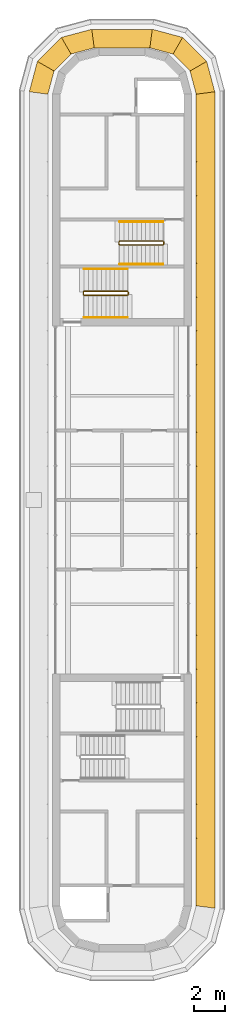
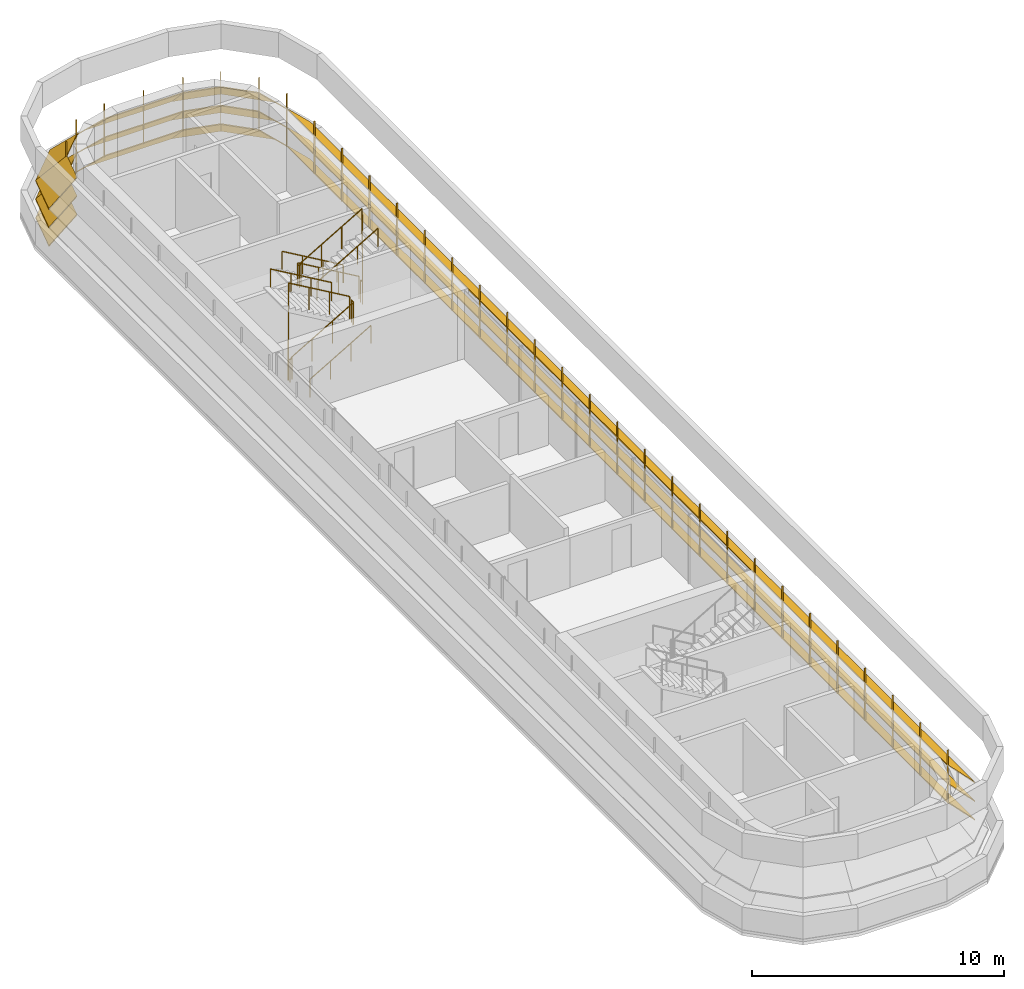
# One storey, part 6 of 6: 6 railings, 4 shading devices.
"""IFC4 building model written with IfcOpenShell, lengths in metres."""

from ifc_helpers import new_model, si_unit, direction, frame, origin, origin_2d, place, context, subcontext, project, spatial, polyline, circle, outline, extrude, faceted_brep, source, transform, mapped, material, type_object, element, save


model = new_model("IFC4")

# Units and contexts
model_context = context("Model", 3, precision=1e-05, world=origin(), true_north=direction((0.0, 1.0)))
body_context = subcontext(model_context, "Body", "Model", "MODEL_VIEW")
ifc_project = project(units=[si_unit("LENGTHUNIT", "METRE"), si_unit("AREAUNIT", "SQUARE_METRE"), si_unit("VOLUMEUNIT", "CUBIC_METRE"), si_unit("PLANEANGLEUNIT", "RADIAN"), si_unit("MASSUNIT", "GRAM", prefix="KILO")], contexts=[model_context])

# Site, building, storey
site_placement = place(None, origin())
site = spatial("IfcSite", under=ifc_project, at=site_placement, CompositionType="ELEMENT")
building_placement = place(site_placement, origin())
building = spatial("IfcBuilding", under=site, at=building_placement, Name="Zarbagh Exchange Tower", CompositionType="ELEMENT")
storey_placement = place(building_placement, frame((0.0, 0.0, 316.800048828125)))
storey = spatial("IfcBuildingStorey", under=building, at=storey_placement, Name="L78", CompositionType="ELEMENT", Elevation=316.800048828125)

# Railings
ifc_material_1 = material(Name="Stainless steel", Category="steel")
railing_type_1 = type_object("IfcRailingType", Name="Stair guard 1100 mm", PredefinedType="GUARDRAIL", material=ifc_material_1)
railing_1_placement = place(storey_placement, frame((2.64990234375, 16.75, 0.16357421875)))
element("IfcRailing", 1, at=railing_1_placement, inside=storey, type_object=railing_type_1, Name="ST1 stair guard 1", PredefinedType="GUARDRAIL", context=body_context, shape_type="SweptSolid", body=[
    extrude(circle(Radius=0.02392578125, at=origin_2d()), frame((0.0, 0.0, 1.076171875), z_axis=(-0.863341702679, 0.0, 0.504619762213), x_axis=(0.0, -1.0, 0.0)), (0.0, 0.0, 1.0), 3.242919921875),
    extrude(circle(Radius=0.02392578125, at=origin_2d()), frame((-2.7998046875, 0.0, 2.71240234375), z_axis=(-0.707106781187, -0.707106781187, 0.0), x_axis=(0.707106781187, -0.707106781187, 0.0)), (0.0, 0.0, 1.0), 0.07080078125),
    extrude(circle(Radius=0.02392578125, at=origin_2d()), frame((-2.849853515625, -0.050048828125, 2.71240234375), z_axis=(0.0, -1.0, 0.0), x_axis=(1.0, 0.0, 0.0)), (0.0, 0.0, 1.0), 0.14990234375),
    extrude(circle(Radius=0.02392578125, at=origin_2d()), frame((-2.849853515625, -0.199951171875, 2.71240234375), z_axis=(0.280808744504, -0.280808744504, 0.917765164963), x_axis=(0.707106781187, 0.707106781187, 0.0)), (0.0, 0.0, 1.0), 0.17822265625),
    extrude(circle(Radius=0.02392578125, at=origin_2d()), frame((-2.7998046875, -0.25, 2.8759765625), z_axis=(0.863374499697, 0.0, 0.504563646405), x_axis=(0.0, 1.0, 0.0)), (0.0, 0.0, 1.0), 3.242919921875),
    extrude(circle(Radius=0.02392578125, at=origin_2d()), frame((0.0, -0.25, 4.51220703125), z_axis=(0.013900331382, 0.013900331382, -0.999806762117), x_axis=(-0.707106781187, 0.707106781187, 0.0)), (0.0, 0.0, 1.0), 3.6005859375),
    extrude(circle(Radius=0.02392578125, at=origin_2d()), frame((0.050048828125, -0.199951171875, 0.91259765625), z_axis=(0.0, 1.0, 0.0), x_axis=(-1.0, 0.0, 0.0)), (0.0, 0.0, 1.0), 0.14990234375),
    extrude(circle(Radius=0.02099609375, at=origin_2d()), origin(), (0.0, 0.0, 1.0), 1.052001953125),
    extrude(circle(Radius=0.02099609375, at=origin_2d()), frame((-0.933349609375, 0.0, 0.54541015625)), (0.0, 0.0, 1.0), 1.052001953125),
    extrude(circle(Radius=0.02099609375, at=origin_2d()), frame((-1.866455078125, 0.0, 1.091064453125)), (0.0, 0.0, 1.0), 1.052001953125),
    extrude(circle(Radius=0.02099609375, at=origin_2d()), frame((-2.7998046875, 0.0, 1.636474609375)), (0.0, 0.0, 1.0), 1.052001953125),
    extrude(circle(Radius=0.02099609375, at=origin_2d()), frame((-2.849853515625, -0.050048828125, 1.636474609375)), (0.0, 0.0, 1.0), 1.052001953125),
    extrude(circle(Radius=0.02099609375, at=origin_2d()), frame((-2.849853515625, -0.199951171875, 1.636474609375)), (0.0, 0.0, 1.0), 1.052001953125),
    extrude(circle(Radius=0.02099609375, at=origin_2d()), frame((-2.7998046875, -0.25, 1.800048828125)), (0.0, 0.0, 1.0), 1.052001953125),
    extrude(circle(Radius=0.02099609375, at=origin_2d()), frame((-1.866455078125, -0.25, 2.345458984375)), (0.0, 0.0, 1.0), 1.052001953125),
    extrude(circle(Radius=0.02099609375, at=origin_2d()), frame((-0.933349609375, -0.25, 2.890869140625)), (0.0, 0.0, 1.0), 1.052001953125),
    extrude(circle(Radius=0.02099609375, at=origin_2d()), frame((0.0, -0.25, 3.436279296875)), (0.0, 0.0, 1.0), 1.052001953125),
    extrude(circle(Radius=0.02099609375, at=origin_2d()), frame((0.012451171875, -0.237548828125, 2.536376953125)), (0.0, 0.0, 1.0), 1.052001953125),
    extrude(circle(Radius=0.02099609375, at=origin_2d()), frame((0.02490234375, -0.22509765625, 1.63623046875)), (0.0, 0.0, 1.0), 1.052001953125),
    extrude(circle(Radius=0.02099609375, at=origin_2d()), frame((0.03759765625, -0.21240234375, 0.736328125)), (0.0, 0.0, 1.0), 1.052001953125),
    extrude(circle(Radius=0.02099609375, at=origin_2d()), frame((0.050048828125, -0.199951171875, -0.16357421875)), (0.0, 0.0, 1.0), 1.052001953125),
    extrude(circle(Radius=0.02099609375, at=origin_2d()), frame((0.050048828125, -0.050048828125, -0.16357421875)), (0.0, 0.0, 1.0), 1.052001953125),
])
railing_2_placement = place(storey_placement, frame((0.35009765625, 13.5, 1.963623046875)))
element("IfcRailing", 2, at=railing_2_placement, inside=storey, type_object=railing_type_1, Name="ST2 stair guard 1", PredefinedType="GUARDRAIL", context=body_context, shape_type="SweptSolid", body=[
    extrude(circle(Radius=0.02392578125, at=origin_2d()), frame((0.0, 0.0, 1.076171875), z_axis=(-0.863393664356, 0.0, 0.504530851732), x_axis=(0.0, -1.0, 0.0)), (0.0, 0.0, 1.0), 3.2431640625),
    extrude(circle(Radius=0.02392578125, at=origin_2d()), frame((-2.800048828125, 0.0, 2.71240234375), z_axis=(-0.013900331382, -0.013900331382, -0.999806762117), x_axis=(0.707106781187, -0.707106781187, 0.0)), (0.0, 0.0, 1.0), 3.6005859375),
    extrude(circle(Radius=0.02392578125, at=origin_2d()), frame((-2.85009765625, -0.050048828125, -0.8876953125), z_axis=(0.0, -1.0, 0.0), x_axis=(1.0, 0.0, 0.0)), (0.0, 0.0, 1.0), 0.14990234375),
    extrude(circle(Radius=0.02392578125, at=origin_2d()), frame((-2.85009765625, -0.199951171875, -0.8876953125), z_axis=(0.280808744504, -0.280808744504, 0.917765164963), x_axis=(0.707106781187, 0.707106781187, 0.0)), (0.0, 0.0, 1.0), 0.17822265625),
    extrude(circle(Radius=0.02392578125, at=origin_2d()), frame((-2.800048828125, -0.25, -0.72412109375), z_axis=(0.863360870873, 0.0, 0.504586966384), x_axis=(0.0, 1.0, 0.0)), (0.0, 0.0, 1.0), 3.2431640625),
    extrude(circle(Radius=0.02392578125, at=origin_2d()), frame((0.0, -0.25, 0.91259765625), z_axis=(0.705375805398, 0.708833529934, 0.0), x_axis=(-0.708833529934, 0.705375805398, 0.0)), (0.0, 0.0, 1.0), 0.070556640625),
    extrude(circle(Radius=0.02392578125, at=origin_2d()), frame((0.0498046875, -0.199951171875, 0.91259765625), z_axis=(0.0, 1.0, 0.0), x_axis=(-1.0, 0.0, 0.0)), (0.0, 0.0, 1.0), 0.14990234375),
    extrude(circle(Radius=0.02099609375, at=origin_2d()), origin(), (0.0, 0.0, 1.0), 1.052001953125),
    extrude(circle(Radius=0.02099609375, at=origin_2d()), frame((-0.933349609375, 0.0, 0.54541015625)), (0.0, 0.0, 1.0), 1.052001953125),
    extrude(circle(Radius=0.02099609375, at=origin_2d()), frame((-1.86669921875, 0.0, 1.0908203125)), (0.0, 0.0, 1.0), 1.052001953125),
    extrude(circle(Radius=0.02099609375, at=origin_2d()), frame((-2.800048828125, 0.0, 1.63623046875)), (0.0, 0.0, 1.0), 1.052001953125),
    extrude(circle(Radius=0.02099609375, at=origin_2d()), frame((-2.8125, -0.012451171875, 0.736328125)), (0.0, 0.0, 1.0), 1.052001953125),
    extrude(circle(Radius=0.02099609375, at=origin_2d()), frame((-2.8251953125, -0.02490234375, -0.16357421875)), (0.0, 0.0, 1.0), 1.052001953125),
    extrude(circle(Radius=0.02099609375, at=origin_2d()), frame((-2.837646484375, -0.03759765625, -1.063720703125)), (0.0, 0.0, 1.0), 1.052001953125),
    extrude(circle(Radius=0.02099609375, at=origin_2d()), frame((-2.85009765625, -0.050048828125, -1.963623046875)), (0.0, 0.0, 1.0), 1.052001953125),
    extrude(circle(Radius=0.02099609375, at=origin_2d()), frame((-2.85009765625, -0.199951171875, -1.963623046875)), (0.0, 0.0, 1.0), 1.052001953125),
    extrude(circle(Radius=0.02099609375, at=origin_2d()), frame((-2.800048828125, -0.25, -1.800048828125)), (0.0, 0.0, 1.0), 1.052001953125),
    extrude(circle(Radius=0.02099609375, at=origin_2d()), frame((-1.86669921875, -0.25, -1.254638671875)), (0.0, 0.0, 1.0), 1.052001953125),
    extrude(circle(Radius=0.02099609375, at=origin_2d()), frame((-0.933349609375, -0.25, -0.708984375)), (0.0, 0.0, 1.0), 1.052001953125),
    extrude(circle(Radius=0.02099609375, at=origin_2d()), frame((0.0, -0.25, -0.16357421875)), (0.0, 0.0, 1.0), 1.052001953125),
    extrude(circle(Radius=0.02099609375, at=origin_2d()), frame((0.0498046875, -0.199951171875, -0.16357421875)), (0.0, 0.0, 1.0), 1.052001953125),
    extrude(circle(Radius=0.02099609375, at=origin_2d()), frame((0.0498046875, -0.050048828125, -0.16357421875)), (0.0, 0.0, 1.0), 1.052001953125),
])
railing_type_2 = type_object("IfcRailingType", Name="Stair handrail 900 mm", PredefinedType="HANDRAIL", material=ifc_material_1)
railing_3_placement = place(storey_placement, frame((2.64990234375, 18.0, 0.16357421875)))
element("IfcRailing", 3, at=railing_3_placement, inside=storey, type_object=railing_type_2, Name="ST1 stair handrail 1", PredefinedType="HANDRAIL", context=body_context, shape_type="SweptSolid", body=[
    extrude(circle(Radius=0.02392578125, at=origin_2d()), frame((0.0, 0.0, 0.8759765625), z_axis=(-0.863341702679, 0.0, 0.504619762213), x_axis=(0.0, -1.0, 0.0)), (0.0, 0.0, 1.0), 3.242919921875),
    extrude(circle(Radius=0.02099609375, at=origin_2d()), origin(), (0.0, 0.0, 1.0), 0.851806640625),
    extrude(circle(Radius=0.02099609375, at=origin_2d()), frame((-0.933349609375, 0.0, 0.54541015625)), (0.0, 0.0, 1.0), 0.851806640625),
    extrude(circle(Radius=0.02099609375, at=origin_2d()), frame((-1.866455078125, 0.0, 1.091064453125)), (0.0, 0.0, 1.0), 0.851806640625),
    extrude(circle(Radius=0.02099609375, at=origin_2d()), frame((-2.7998046875, 0.0, 1.636474609375)), (0.0, 0.0, 1.0), 0.851806640625),
])
railing_4_placement = place(storey_placement, frame((-0.14990234375, 15.25, 1.963623046875)))
element("IfcRailing", 4, at=railing_4_placement, inside=storey, type_object=railing_type_2, Name="ST1 stair handrail 2", PredefinedType="HANDRAIL", context=body_context, shape_type="SweptSolid", body=[
    extrude(circle(Radius=0.02392578125, at=origin_2d()), frame((0.0, 0.0, 0.8759765625), z_axis=(0.863374499697, 0.0, 0.504563646405), x_axis=(0.0, 1.0, 0.0)), (0.0, 0.0, 1.0), 3.242919921875),
    extrude(circle(Radius=0.02099609375, at=origin_2d()), origin(), (0.0, 0.0, 1.0), 0.851806640625),
    extrude(circle(Radius=0.02099609375, at=origin_2d()), frame((0.933349609375, 0.0, 0.54541015625)), (0.0, 0.0, 1.0), 0.851806640625),
    extrude(circle(Radius=0.02099609375, at=origin_2d()), frame((1.866455078125, 0.0, 1.0908203125)), (0.0, 0.0, 1.0), 0.851806640625),
    extrude(circle(Radius=0.02099609375, at=origin_2d()), frame((2.7998046875, 0.0, 1.63623046875)), (0.0, 0.0, 1.0), 0.851806640625),
])
railing_5_placement = place(storey_placement, frame((-2.449951171875, 11.800048828125, 0.16357421875)))
element("IfcRailing", 5, at=railing_5_placement, inside=storey, type_object=railing_type_2, Name="ST2 stair handrail 1", PredefinedType="HANDRAIL", context=body_context, shape_type="SweptSolid", body=[
    extrude(circle(Radius=0.02392578125, at=origin_2d()), frame((0.0, 0.0, 0.8759765625), z_axis=(0.863360870873, 0.0, 0.504586966384), x_axis=(0.0, 1.0, 0.0)), (0.0, 0.0, 1.0), 3.2431640625),
    extrude(circle(Radius=0.02099609375, at=origin_2d()), origin(), (0.0, 0.0, 1.0), 0.851806640625),
    extrude(circle(Radius=0.02099609375, at=origin_2d()), frame((0.933349609375, 0.0, 0.54541015625)), (0.0, 0.0, 1.0), 0.851806640625),
    extrude(circle(Radius=0.02099609375, at=origin_2d()), frame((1.86669921875, 0.0, 1.091064453125)), (0.0, 0.0, 1.0), 0.851806640625),
    extrude(circle(Radius=0.02099609375, at=origin_2d()), frame((2.800048828125, 0.0, 1.636474609375)), (0.0, 0.0, 1.0), 0.851806640625),
])
railing_6_placement = place(storey_placement, frame((0.35009765625, 14.949951171875, 1.963623046875)))
element("IfcRailing", 6, at=railing_6_placement, inside=storey, type_object=railing_type_2, Name="ST2 stair handrail 2", PredefinedType="HANDRAIL", context=body_context, shape_type="SweptSolid", body=[
    extrude(circle(Radius=0.02392578125, at=origin_2d()), frame((0.0, 0.0, 0.8759765625), z_axis=(-0.863393664356, 0.0, 0.504530851732), x_axis=(0.0, -1.0, 0.0)), (0.0, 0.0, 1.0), 3.2431640625),
    extrude(circle(Radius=0.02099609375, at=origin_2d()), origin(), (0.0, 0.0, 1.0), 0.851806640625),
    extrude(circle(Radius=0.02099609375, at=origin_2d()), frame((-0.933349609375, 0.0, 0.54541015625)), (0.0, 0.0, 1.0), 0.851806640625),
    extrude(circle(Radius=0.02099609375, at=origin_2d()), frame((-1.86669921875, 0.0, 1.0908203125)), (0.0, 0.0, 1.0), 0.851806640625),
    extrude(circle(Radius=0.02099609375, at=origin_2d()), frame((-2.800048828125, 0.0, 1.63623046875)), (0.0, 0.0, 1.0), 0.851806640625),
])

# Shading devices
ifc_material_2 = material(Name="Anodised aluminium blades and brackets", Category="aluminium")
shading_device_type = type_object("IfcShadingDeviceType", Name="SUNSHADE louvre band, 45 degree blades", PredefinedType="JALOUSIE", material=ifc_material_2)
shared_shape_1 = source(origin(), body_context, "Body", "Brep", [
    faceted_brep([(0.0, 0.0, 0.0), (0.0, 0.0, -0.056640625), (-0.157958984375, -1.199951171875, -1.256591796875), (-0.157958984375, -1.199951171875, -1.199951171875), (1.87451171875, -1.199951171875, -1.199951171875), (1.87451171875, -1.199951171875, -1.256591796875), (1.552978515625, 0.0, -0.056640625), (1.552978515625, 0.0, 0.0)], [[[0, 1, 2, 3]], [[4, 5, 6, 7]], [[0, 7, 6, 1]], [[1, 6, 5, 2]], [[2, 5, 4, 3]], [[3, 4, 7, 0]]]),
])
shared_shape_2 = source(origin(), body_context, "Body", "Brep", [
    faceted_brep([(0.0, 0.0, 0.0), (0.0, 0.0, -0.056640625), (-0.321533203125, -1.199951171875, -1.256591796875), (-0.321533203125, -1.199951171875, -1.199951171875), (1.87451171875, -1.199951171875, -1.199951171875), (1.87451171875, -1.199951171875, -1.256591796875), (1.552978515625, 0.0, -0.056640625), (1.552978515625, 0.0, 0.0)], [[[0, 1, 2, 3]], [[4, 5, 6, 7]], [[0, 7, 6, 1]], [[1, 6, 5, 2]], [[2, 5, 4, 3]], [[3, 4, 7, 0]]]),
])
shared_shape_3 = source(origin(), body_context, "Body", "Brep", [
    faceted_brep([(0.0, 0.0, 0.0), (0.0, 0.0, -0.056640625), (-0.321533203125, -1.199951171875, -1.256591796875), (-0.321533203125, -1.199951171875, -1.199951171875), (1.7109375, -1.199951171875, -1.199951171875), (1.7109375, -1.199951171875, -1.256591796875), (1.552978515625, 0.0, -0.056640625), (1.552978515625, 0.0, 0.0)], [[[0, 1, 2, 3]], [[4, 5, 6, 7]], [[0, 7, 6, 1]], [[1, 6, 5, 2]], [[2, 5, 4, 3]], [[3, 4, 7, 0]]]),
])
shared_shape_4 = source(origin(), body_context, "Body", "SweptSolid", [
    extrude(outline(polyline([(0.0, -0.012451171875), (0.06005859375, -0.012451171875), (0.06005859375, 0.012451171875), (0.0, 0.012451171875), (0.0, -0.012451171875)])), origin(), (0.0, 0.0, 1.0), 2.566650390625),
])
placement = place(storey_placement, origin())
element("IfcShadingDevice", 7, at=placement, inside=storey, type_object=shading_device_type, Name="SS76 sunshade band", PredefinedType="JALOUSIE", context=body_context, shape_type="MappedRepresentation", body=[
    mapped(shared_shape_1, transform((4.800048828125, 26.25, 2.89990234375), x_axis=(-0.258804752, 0.965929656001, 0.0), y_axis=(-0.965929656001, -0.258804752, 0.0), z_axis=(0.0, 0.0, 1.0))),
    mapped(shared_shape_1, transform((4.800048828125, 26.25, 2.0), x_axis=(-0.258804752, 0.965929656001, 0.0), y_axis=(-0.965929656001, -0.258804752, 0.0), z_axis=(0.0, 0.0, 1.0))),
    mapped(shared_shape_1, transform((4.800048828125, 26.25, 1.099853515625), x_axis=(-0.258804752, 0.965929656001, 0.0), y_axis=(-0.965929656001, -0.258804752, 0.0), z_axis=(0.0, 0.0, 1.0))),
    mapped(shared_shape_2, transform((4.398193359375, 27.75, 2.89990234375), x_axis=(-0.707106781187, 0.707106781187, 0.0), y_axis=(-0.707106781187, -0.707106781187, 0.0), z_axis=(0.0, 0.0, 1.0))),
    mapped(shared_shape_2, transform((4.398193359375, 27.75, 2.0), x_axis=(-0.707106781187, 0.707106781187, 0.0), y_axis=(-0.707106781187, -0.707106781187, 0.0), z_axis=(0.0, 0.0, 1.0))),
    mapped(shared_shape_2, transform((4.398193359375, 27.75, 1.099853515625), x_axis=(-0.707106781187, 0.707106781187, 0.0), y_axis=(-0.707106781187, -0.707106781187, 0.0), z_axis=(0.0, 0.0, 1.0))),
    mapped(shared_shape_3, transform((3.300048828125, 28.84814453125, 2.89990234375), x_axis=(-0.965929656001, 0.258804752, 0.0), y_axis=(-0.258804752, -0.965929656001, 0.0), z_axis=(0.0, 0.0, 1.0))),
    mapped(shared_shape_3, transform((3.300048828125, 28.84814453125, 2.0), x_axis=(-0.965929656001, 0.258804752, 0.0), y_axis=(-0.258804752, -0.965929656001, 0.0), z_axis=(0.0, 0.0, 1.0))),
    mapped(shared_shape_3, transform((3.300048828125, 28.84814453125, 1.099853515625), x_axis=(-0.965929656001, 0.258804752, 0.0), y_axis=(-0.258804752, -0.965929656001, 0.0), z_axis=(0.0, 0.0, 1.0))),
    mapped(shared_shape_4, transform((4.800048828125, 26.25, 1.013427734375), x_axis=(0.991445813884, 0.130518956985, 0.0), y_axis=(-0.130518956985, 0.991445813884, 0.0), z_axis=(0.0, 0.0, 1.0))),
    mapped(shared_shape_4, transform((4.398193359375, 27.75, 1.013427734375), x_axis=(0.866029071062, 0.499993648036, 0.0), y_axis=(-0.499993648036, 0.866029071062, 0.0), z_axis=(0.0, 0.0, 1.0))),
    mapped(shared_shape_4, transform((3.300048828125, 28.84814453125, 1.013427734375), x_axis=(0.499993648036, 0.866029071062, 0.0), y_axis=(-0.866029071062, 0.499993648036, 0.0), z_axis=(0.0, 0.0, 1.0))),
])
element("IfcShadingDevice", 8, at=placement, inside=storey, type_object=shading_device_type, Name="SS77 sunshade band", PredefinedType="JALOUSIE", context=body_context, shape_type="MappedRepresentation", body=[
    mapped(shared_shape_1, transform((-1.800048828125, 29.25, 2.89990234375), x_axis=(-0.965929656001, -0.258804752, 0.0), y_axis=(0.258804752, -0.965929656001, 0.0), z_axis=(0.0, 0.0, 1.0))),
    mapped(shared_shape_1, transform((-1.800048828125, 29.25, 2.0), x_axis=(-0.965929656001, -0.258804752, 0.0), y_axis=(0.258804752, -0.965929656001, 0.0), z_axis=(0.0, 0.0, 1.0))),
    mapped(shared_shape_1, transform((-1.800048828125, 29.25, 1.099853515625), x_axis=(-0.965929656001, -0.258804752, 0.0), y_axis=(0.258804752, -0.965929656001, 0.0), z_axis=(0.0, 0.0, 1.0))),
    mapped(shared_shape_2, transform((-3.300048828125, 28.84814453125, 2.89990234375), x_axis=(-0.707106781187, -0.707106781187, 0.0), y_axis=(0.707106781187, -0.707106781187, 0.0), z_axis=(0.0, 0.0, 1.0))),
    mapped(shared_shape_2, transform((-3.300048828125, 28.84814453125, 2.0), x_axis=(-0.707106781187, -0.707106781187, 0.0), y_axis=(0.707106781187, -0.707106781187, 0.0), z_axis=(0.0, 0.0, 1.0))),
    mapped(shared_shape_2, transform((-3.300048828125, 28.84814453125, 1.099853515625), x_axis=(-0.707106781187, -0.707106781187, 0.0), y_axis=(0.707106781187, -0.707106781187, 0.0), z_axis=(0.0, 0.0, 1.0))),
    mapped(shared_shape_3, transform((-4.398193359375, 27.75, 2.89990234375), x_axis=(-0.258804752, -0.965929656001, 0.0), y_axis=(0.965929656001, -0.258804752, 0.0), z_axis=(0.0, 0.0, 1.0))),
    mapped(shared_shape_3, transform((-4.398193359375, 27.75, 2.0), x_axis=(-0.258804752, -0.965929656001, 0.0), y_axis=(0.965929656001, -0.258804752, 0.0), z_axis=(0.0, 0.0, 1.0))),
    mapped(shared_shape_3, transform((-4.398193359375, 27.75, 1.099853515625), x_axis=(-0.258804752, -0.965929656001, 0.0), y_axis=(0.965929656001, -0.258804752, 0.0), z_axis=(0.0, 0.0, 1.0))),
    mapped(shared_shape_4, transform((-1.800048828125, 29.25, 1.013427734375), x_axis=(-0.130518956985, 0.991445813884, 0.0), y_axis=(-0.991445813884, -0.130518956985, 0.0), z_axis=(0.0, 0.0, 1.0))),
    mapped(shared_shape_4, transform((-3.300048828125, 28.84814453125, 1.013427734375), x_axis=(-0.499993648036, 0.866029071062, 0.0), y_axis=(-0.866029071062, -0.499993648036, 0.0), z_axis=(0.0, 0.0, 1.0))),
    mapped(shared_shape_4, transform((-4.398193359375, 27.75, 1.013427734375), x_axis=(-0.866029071062, 0.499993648036, 0.0), y_axis=(-0.499993648036, -0.866029071062, 0.0), z_axis=(0.0, 0.0, 1.0))),
])
shared_shape_5 = source(origin(), body_context, "Body", "Brep", [
    faceted_brep([(0.0, 0.0, 0.0), (0.0, 0.0, -0.056640625), (-0.157958984375, -1.199951171875, -1.256591796875), (-0.157958984375, -1.199951171875, -1.199951171875), (52.657958984375, -1.199951171875, -1.199951171875), (52.657958984375, -1.199951171875, -1.256591796875), (52.5, 0.0, -0.056640625), (52.5, 0.0, 0.0)], [[[0, 1, 2, 3]], [[4, 5, 6, 7]], [[0, 7, 6, 1]], [[1, 6, 5, 2]], [[2, 5, 4, 3]], [[3, 4, 7, 0]]]),
])
element("IfcShadingDevice", 9, at=placement, inside=storey, type_object=shading_device_type, Name="SS75 sunshade band", PredefinedType="JALOUSIE", context=body_context, shape_type="MappedRepresentation", body=[
    mapped(shared_shape_5, transform((4.800048828125, -26.25, 2.89990234375), x_axis=(0.0, 1.0, 0.0), y_axis=(-1.0, 0.0, 0.0), z_axis=(0.0, 0.0, 1.0))),
    mapped(shared_shape_5, transform((4.800048828125, -26.25, 2.0), x_axis=(0.0, 1.0, 0.0), y_axis=(-1.0, 0.0, 0.0), z_axis=(0.0, 0.0, 1.0))),
    mapped(shared_shape_5, transform((4.800048828125, -26.25, 1.099853515625), x_axis=(0.0, 1.0, 0.0), y_axis=(-1.0, 0.0, 0.0), z_axis=(0.0, 0.0, 1.0))),
    mapped(shared_shape_4, transform((4.800048828125, -26.25, 1.013427734375), x_axis=(0.991445813884, -0.130518956985, 0.0), y_axis=(0.130518956985, 0.991445813884, 0.0), z_axis=(0.0, 0.0, 1.0))),
    mapped(shared_shape_4, transform((4.800048828125, -24.0625, 1.013427734375), x_axis=(1.0, 0.0, 0.0), y_axis=(0.0, 1.0, 0.0), z_axis=(0.0, 0.0, 1.0))),
    mapped(shared_shape_4, transform((4.800048828125, -21.875, 1.013427734375), x_axis=(1.0, 0.0, 0.0), y_axis=(0.0, 1.0, 0.0), z_axis=(0.0, 0.0, 1.0))),
    mapped(shared_shape_4, transform((4.800048828125, -19.6875, 1.013427734375), x_axis=(1.0, 0.0, 0.0), y_axis=(0.0, 1.0, 0.0), z_axis=(0.0, 0.0, 1.0))),
    mapped(shared_shape_4, transform((4.800048828125, -17.5, 1.013427734375), x_axis=(1.0, 0.0, 0.0), y_axis=(0.0, 1.0, 0.0), z_axis=(0.0, 0.0, 1.0))),
    mapped(shared_shape_4, transform((4.800048828125, -15.3125, 1.013427734375), x_axis=(1.0, 0.0, 0.0), y_axis=(0.0, 1.0, 0.0), z_axis=(0.0, 0.0, 1.0))),
    mapped(shared_shape_4, transform((4.800048828125, -13.125, 1.013427734375), x_axis=(1.0, 0.0, 0.0), y_axis=(0.0, 1.0, 0.0), z_axis=(0.0, 0.0, 1.0))),
    mapped(shared_shape_4, transform((4.800048828125, -10.9375, 1.013427734375), x_axis=(1.0, 0.0, 0.0), y_axis=(0.0, 1.0, 0.0), z_axis=(0.0, 0.0, 1.0))),
    mapped(shared_shape_4, transform((4.800048828125, -8.75, 1.013427734375), x_axis=(1.0, 0.0, 0.0), y_axis=(0.0, 1.0, 0.0), z_axis=(0.0, 0.0, 1.0))),
    mapped(shared_shape_4, transform((4.800048828125, -6.5625, 1.013427734375), x_axis=(1.0, 0.0, 0.0), y_axis=(0.0, 1.0, 0.0), z_axis=(0.0, 0.0, 1.0))),
    mapped(shared_shape_4, transform((4.800048828125, -4.375, 1.013427734375), x_axis=(1.0, 0.0, 0.0), y_axis=(0.0, 1.0, 0.0), z_axis=(0.0, 0.0, 1.0))),
    mapped(shared_shape_4, transform((4.800048828125, -2.1875, 1.013427734375), x_axis=(1.0, 0.0, 0.0), y_axis=(0.0, 1.0, 0.0), z_axis=(0.0, 0.0, 1.0))),
    mapped(shared_shape_4, transform((4.800048828125, 0.0, 1.013427734375), x_axis=(1.0, 0.0, 0.0), y_axis=(0.0, 1.0, 0.0), z_axis=(0.0, 0.0, 1.0))),
    mapped(shared_shape_4, transform((4.800048828125, 2.1875, 1.013427734375), x_axis=(1.0, 0.0, 0.0), y_axis=(0.0, 1.0, 0.0), z_axis=(0.0, 0.0, 1.0))),
    mapped(shared_shape_4, transform((4.800048828125, 4.375, 1.013427734375), x_axis=(1.0, 0.0, 0.0), y_axis=(0.0, 1.0, 0.0), z_axis=(0.0, 0.0, 1.0))),
    mapped(shared_shape_4, transform((4.800048828125, 6.5625, 1.013427734375), x_axis=(1.0, 0.0, 0.0), y_axis=(0.0, 1.0, 0.0), z_axis=(0.0, 0.0, 1.0))),
    mapped(shared_shape_4, transform((4.800048828125, 8.75, 1.013427734375), x_axis=(1.0, 0.0, 0.0), y_axis=(0.0, 1.0, 0.0), z_axis=(0.0, 0.0, 1.0))),
    mapped(shared_shape_4, transform((4.800048828125, 10.9375, 1.013427734375), x_axis=(1.0, 0.0, 0.0), y_axis=(0.0, 1.0, 0.0), z_axis=(0.0, 0.0, 1.0))),
    mapped(shared_shape_4, transform((4.800048828125, 13.125, 1.013427734375), x_axis=(1.0, 0.0, 0.0), y_axis=(0.0, 1.0, 0.0), z_axis=(0.0, 0.0, 1.0))),
    mapped(shared_shape_4, transform((4.800048828125, 15.3125, 1.013427734375), x_axis=(1.0, 0.0, 0.0), y_axis=(0.0, 1.0, 0.0), z_axis=(0.0, 0.0, 1.0))),
    mapped(shared_shape_4, transform((4.800048828125, 17.5, 1.013427734375), x_axis=(1.0, 0.0, 0.0), y_axis=(0.0, 1.0, 0.0), z_axis=(0.0, 0.0, 1.0))),
    mapped(shared_shape_4, transform((4.800048828125, 19.6875, 1.013427734375), x_axis=(1.0, 0.0, 0.0), y_axis=(0.0, 1.0, 0.0), z_axis=(0.0, 0.0, 1.0))),
    mapped(shared_shape_4, transform((4.800048828125, 21.875, 1.013427734375), x_axis=(1.0, 0.0, 0.0), y_axis=(0.0, 1.0, 0.0), z_axis=(0.0, 0.0, 1.0))),
    mapped(shared_shape_4, transform((4.800048828125, 24.0625, 1.013427734375), x_axis=(1.0, 0.0, 0.0), y_axis=(0.0, 1.0, 0.0), z_axis=(0.0, 0.0, 1.0))),
])
shared_shape_6 = source(origin(), body_context, "Body", "Brep", [
    faceted_brep([(0.0, 0.0, 0.0), (0.0, 0.0, -0.056640625), (-0.157958984375, -1.199951171875, -1.256591796875), (-0.157958984375, -1.199951171875, -1.199951171875), (3.758056640625, -1.199951171875, -1.199951171875), (3.758056640625, -1.199951171875, -1.256591796875), (3.60009765625, 0.0, -0.056640625), (3.60009765625, 0.0, 0.0)], [[[0, 1, 2, 3]], [[4, 5, 6, 7]], [[0, 7, 6, 1]], [[1, 6, 5, 2]], [[2, 5, 4, 3]], [[3, 4, 7, 0]]]),
])
element("IfcShadingDevice", 10, at=placement, inside=storey, type_object=shading_device_type, Name="SS47 sunshade band", PredefinedType="JALOUSIE", context=body_context, shape_type="MappedRepresentation", body=[
    mapped(shared_shape_6, transform((1.800048828125, 29.25, 2.89990234375), x_axis=(-1.0, 0.0, 0.0), y_axis=(0.0, -1.0, 0.0), z_axis=(0.0, 0.0, 1.0))),
    mapped(shared_shape_6, transform((1.800048828125, 29.25, 2.0), x_axis=(-1.0, 0.0, 0.0), y_axis=(0.0, -1.0, 0.0), z_axis=(0.0, 0.0, 1.0))),
    mapped(shared_shape_6, transform((1.800048828125, 29.25, 1.099853515625), x_axis=(-1.0, 0.0, 0.0), y_axis=(0.0, -1.0, 0.0), z_axis=(0.0, 0.0, 1.0))),
    mapped(shared_shape_4, transform((1.800048828125, 29.25, 1.013427734375), x_axis=(0.130518956985, 0.991445813884, 0.0), y_axis=(-0.991445813884, 0.130518956985, 0.0), z_axis=(0.0, 0.0, 1.0))),
    mapped(shared_shape_4, transform((0.0, 29.25, 1.013427734375), x_axis=(0.0, 1.0, 0.0), y_axis=(-1.0, 0.0, 0.0), z_axis=(0.0, 0.0, 1.0))),
])

save(model, "model.ifc")
